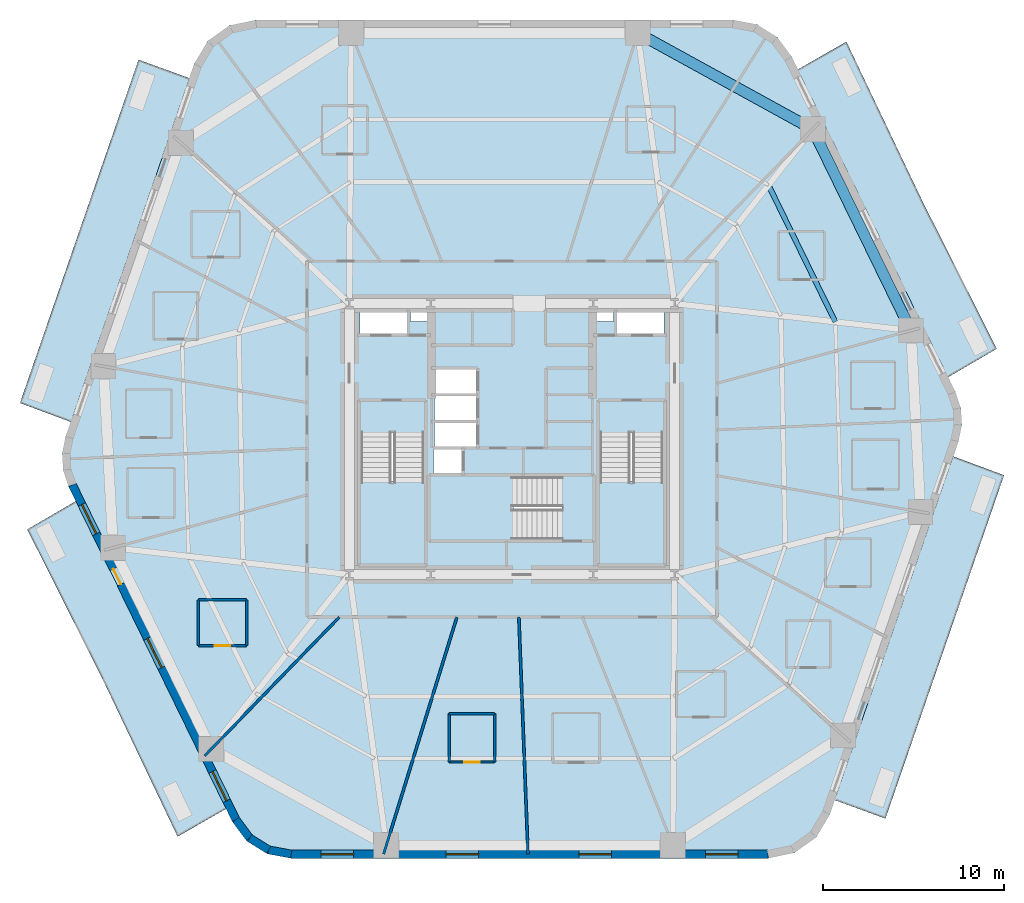
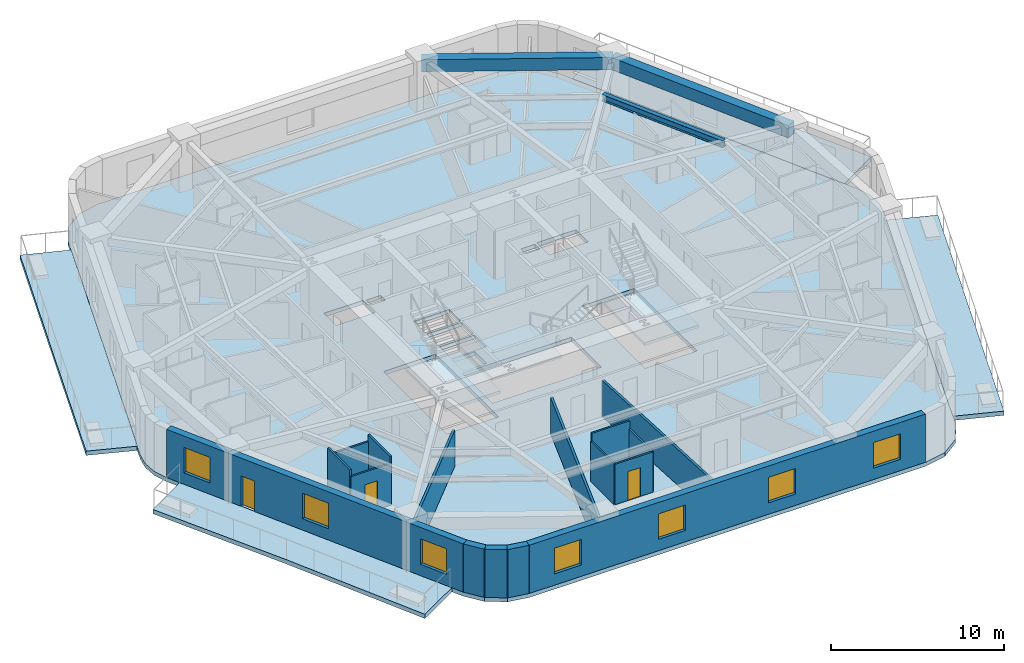
# One storey, part 2 of 10: 16 walls, 8 slabs, 7 windows, 3 beams, 3 doors, 10 openings, 3 elements without a shape of their own.
"""IFC4 building model written with IfcOpenShell, lengths in metres."""

from ifc_helpers import new_model, si_unit, direction, frame, frame_2d, origin, origin_2d, place, context, subcontext, project, spatial, polyline, rectangle, i_section, outline, extrude, material, layer, layer_set, material_profile, profile_set, type_object, element, fill, aggregate, save


model = new_model("IFC4")

# Units and contexts
model_context = context("Model", 3, precision=1e-05, world=origin(), true_north=direction((0.0, 1.0)))
body_context = subcontext(model_context, "Body", "Model", "MODEL_VIEW")
ifc_project = project(units=[si_unit("LENGTHUNIT", "METRE"), si_unit("AREAUNIT", "SQUARE_METRE"), si_unit("VOLUMEUNIT", "CUBIC_METRE"), si_unit("PLANEANGLEUNIT", "RADIAN"), si_unit("MASSUNIT", "GRAM", prefix="KILO")], contexts=[model_context])

# Site, building, storey
site_placement = place(None, origin())
site = spatial("IfcSite", under=ifc_project, at=site_placement, CompositionType="ELEMENT")
building_placement = place(site_placement, origin())
building = spatial("IfcBuilding", under=site, at=building_placement, Name="Kilnhurst Terrace Hotel", CompositionType="ELEMENT")
storey_placement = place(building_placement, frame((0.0, 0.0, 52.699951171875)))
storey = spatial("IfcBuildingStorey", under=building, at=storey_placement, Name="L11", CompositionType="ELEMENT", Elevation=52.699951171875)

# Beams
ifc_material_1 = material(Name="Concrete C50/60", Category="concrete")
ifc_material_profile_1 = material_profile(ifc_material_1, rectangle(XDim=0.60009765625, YDim=0.85009765625, at=origin_2d()), Name="RC600X850")
ifc_profile_set_1 = profile_set([ifc_material_profile_1], Name="Concrete C50/60")
beam_type_1 = type_object("IfcBeamType", Name="BM-SPN-600X850", PredefinedType="SPANDREL", material=ifc_profile_set_1)
beam_1_placement = place(storey_placement, frame((22.083984375, 6.013916015625, 2.97509765625), z_axis=(-0.438922573627, 0.898524888003, 0.0), x_axis=(-0.898524888003, -0.438922573627, 0.0)))
element("IfcBeam", 1, at=beam_1_placement, inside=storey, type_object=beam_type_1, Name="L11 Perimeter Spandrel Beam 5", PredefinedType="SPANDREL", context=body_context, shape_type="SweptSolid", body=[
    extrude(rectangle(XDim=0.60009765625, YDim=0.85009765625, at=origin_2d()), origin(), (0.0, 0.0, 1.0), 12.39599609375),
])
beam_2_placement = place(storey_placement, frame((16.64306640625, 17.152099609375, 2.97509765625), z_axis=(-0.876235488803, 0.481883147829, 0.0), x_axis=(-0.481883147829, -0.876235488803, 0.0)))
element("IfcBeam", 2, at=beam_2_placement, inside=storey, type_object=beam_type_1, Name="L11 Perimeter Spandrel Beam 6", PredefinedType="SPANDREL", context=body_context, shape_type="SweptSolid", body=[
    extrude(rectangle(XDim=0.60009765625, YDim=0.85009765625, at=origin_2d()), origin(), (0.0, 0.0, 1.0), 11.056396484375),
])
ifc_material_2 = material(Name="Steel ASTM A992 Grade 50", Category="steel")
ifc_material_profile_2 = material_profile(ifc_material_2, i_section(OverallWidth=0.279296875, OverallDepth=0.462890625, WebThickness=0.0107421875, FlangeThickness=0.017333984375, at=origin_2d()), Name="W18X76")
ifc_profile_set_2 = profile_set([ifc_material_profile_2], Name="Steel ASTM A992 Grade 50")
beam_type_2 = type_object("IfcBeamType", Name="JST-STL-W18X76", PredefinedType="JOIST", material=ifc_profile_set_2)
beam_3_placement = place(storey_placement, frame((17.897216796875, 6.489501953125, 3.16796875), z_axis=(-0.438934275949, 0.898519171413, 0.0), x_axis=(-0.898519171413, -0.438934275949, 0.0)))
element("IfcBeam", 3, at=beam_3_placement, inside=storey, type_object=beam_type_2, Name="L11 Secondary Floor Steel Joist OUT.5", PredefinedType="JOIST", context=body_context, shape_type="SweptSolid", body=[
    extrude(i_section(OverallWidth=0.279296875, OverallDepth=0.462890625, WebThickness=0.0107421875, FlangeThickness=0.017333984375, at=origin_2d()), origin(), (0.0, 0.0, 1.0), 8.429443359375),
])

# Slabs
ifc_layer_1 = layer(ifc_material_1, 0.300048828125, Name="Concrete C50/60")
ifc_layer_set_1 = layer_set([ifc_layer_1], Name="Concrete C50/60")
slab_type_1 = type_object("IfcSlabType", Name="SLB-BAL-300", PredefinedType="FLOOR", material=ifc_layer_set_1)
slab_1_placement = place(storey_placement, frame((0.0, 0.0, -0.300048828125)))
element("IfcSlab", 4, at=slab_1_placement, inside=storey, type_object=slab_type_1, Name="L11 Cantilevered Planted Terrace Slab BAL-L1A", PredefinedType="FLOOR", context=body_context, shape_type="SweptSolid", body=[
    extrude(outline(polyline([(23.98046875, -11.4296875), (20.670166015625, -21.0), (17.84912109375, -19.975341796875), (24.410888671875, -0.9501953125), (27.23388671875, -2.0), (23.98046875, -11.4296875)])), origin(), (0.0, 0.0, 1.0), 0.300048828125),
])
slab_2_placement = place(storey_placement, frame((0.0, 0.0, -0.300048828125)))
element("IfcSlab", 5, at=slab_2_placement, inside=storey, type_object=slab_type_1, Name="L11 Cantilevered Planted Terrace Slab BAL-L1B", PredefinedType="FLOOR", context=body_context, shape_type="SweptSolid", body=[
    extrude(outline(polyline([(26.830810546875, 5.0), (24.128662109375, 3.42333984375), (15.809814453125, 20.452880859375), (18.509521484375, 22.0), (22.697021484375, 13.21142578125), (26.830810546875, 5.0)])), origin(), (0.0, 0.0, 1.0), 0.300048828125),
])
slab_3_placement = place(storey_placement, frame((0.0, 0.0, -0.300048828125)))
element("IfcSlab", 6, at=slab_3_placement, inside=storey, type_object=slab_type_1, Name="L11 Cantilevered Planted Terrace Slab BAL-L2A", PredefinedType="FLOOR", context=body_context, shape_type="SweptSolid", body=[
    extrude(outline(polyline([(-20.670166015625, 21.0), (-17.84912109375, 19.975341796875), (-24.410888671875, 0.9501953125), (-27.23388671875, 2.0), (-23.98046875, 11.4296875), (-20.670166015625, 21.0)])), origin(), (0.0, 0.0, 1.0), 0.300048828125),
])
slab_4_placement = place(storey_placement, frame((0.0, 0.0, -0.300048828125)))
element("IfcSlab", 7, at=slab_4_placement, inside=storey, type_object=slab_type_1, Name="L11 Cantilevered Planted Terrace Slab BAL-L2B", PredefinedType="FLOOR", context=body_context, shape_type="SweptSolid", body=[
    extrude(outline(polyline([(-26.830810546875, -5.0), (-24.128662109375, -3.42333984375), (-15.809814453125, -20.452880859375), (-18.509521484375, -22.0), (-22.697021484375, -13.21142578125), (-26.830810546875, -5.0)])), origin(), (0.0, 0.0, 1.0), 0.300048828125),
])
ifc_layer_2 = layer(ifc_material_1, 0.280029296875, Name="Concrete C50/60")
ifc_layer_set_2 = layer_set([ifc_layer_2], Name="Concrete C50/60")
slab_type_2 = type_object("IfcSlabType", Name="SLB-FLR-280", PredefinedType="FLOOR", material=ifc_layer_set_2)
slab_5_placement = place(storey_placement, frame((0.0, 0.0, -0.280029296875)))
element("IfcSlab", 8, at=slab_5_placement, inside=storey, type_object=slab_type_2, Name="L11 Structural Floor Slab", PredefinedType="FLOOR", context=body_context, shape_type="SweptSolid", body=[
    extrude(outline(polyline([(-15.476806640625, -21.18017578125), (-14.680908203125, -22.248046875), (-13.551025390625, -22.95361328125), (-12.241943359375, -23.199951171875), (14.191650390625, -23.199951171875), (15.635986328125, -22.8974609375), (16.837890625, -22.040771484375), (17.5947265625, -20.773681640625), (24.712890625, -0.135986328125), (24.90087890625, 0.7861328125), (24.843505859375, 1.7255859375), (24.54443359375, 2.617919921875), (15.476806640625, 21.18017578125), (14.680908203125, 22.248046875), (13.551025390625, 22.95361328125), (12.241943359375, 23.199951171875), (-14.191650390625, 23.199951171875), (-15.635986328125, 22.8974609375), (-16.837890625, 22.040771484375), (-17.5947265625, 20.773681640625), (-24.712890625, 0.135986328125), (-24.90087890625, -0.7861328125), (-24.843505859375, -1.7255859375), (-24.54443359375, -2.617919921875), (-15.476806640625, -21.18017578125)]), holes=[polyline([(-8.35009765625, 0.35498046875), (-4.8798828125, 0.35498046875), (-4.8798828125, -6.89990234375), (-8.35009765625, -6.89990234375), (-8.35009765625, 0.35498046875)]), polyline([(-2.800048828125, -1.89990234375), (-4.35009765625, -1.89990234375), (-4.35009765625, -0.550048828125), (-2.800048828125, -0.550048828125), (-2.800048828125, -1.89990234375)]), polyline([(-1.949951171875, -0.429931640625), (-4.300048828125, -0.429931640625), (-4.300048828125, 0.89990234375), (-1.949951171875, 0.89990234375), (-1.949951171875, -0.429931640625)]), polyline([(-4.300048828125, 1.050048828125), (-4.300048828125, 2.3798828125), (-1.949951171875, 2.3798828125), (-1.949951171875, 1.050048828125), (-4.300048828125, 1.050048828125)]), polyline([(-8.39990234375, 5.75), (-8.39990234375, 7.14990234375), (-5.800048828125, 7.14990234375), (-5.800048828125, 5.75), (-8.39990234375, 5.75)]), polyline([(-4.659912109375, 6.52001953125), (-5.6201171875, 6.52001953125), (-5.6201171875, 7.080078125), (-4.659912109375, 7.080078125), (-4.659912109375, 6.52001953125)]), polyline([(2.7548828125, -5.550048828125), (-4.5, -5.550048828125), (-4.5, -2.080078125), (2.7548828125, -2.080078125), (2.7548828125, -5.550048828125)]), polyline([(8.35009765625, 0.35498046875), (8.35009765625, -6.89990234375), (4.8798828125, -6.89990234375), (4.8798828125, 0.35498046875), (8.35009765625, 0.35498046875)]), polyline([(-1.949951171875, 2.530029296875), (-4.300048828125, 2.530029296875), (-4.300048828125, 3.860107421875), (-1.949951171875, 3.860107421875), (-1.949951171875, 2.530029296875)]), polyline([(5.800048828125, 5.75), (5.800048828125, 7.14990234375), (8.39990234375, 7.14990234375), (8.39990234375, 5.75), (5.800048828125, 5.75)]), polyline([(4.659912109375, 6.52001953125), (4.659912109375, 7.080078125), (5.6201171875, 7.080078125), (5.6201171875, 6.52001953125), (4.659912109375, 6.52001953125)])]), origin(), (0.0, 0.0, 1.0), 0.280029296875),
])

# Stair, slab
stair_type = type_object("IfcStairType", Name="STR-CORE-1660", PredefinedType="HALF_TURN_STAIR", material=ifc_material_1)
stair_1_placement = place(storey_placement, origin())
stair_1 = element("IfcStair", 9, at=stair_1_placement, inside=storey, type_object=stair_type, Name="L11 ST-1", PredefinedType="HALF_TURN_STAIR")
ifc_layer_3 = layer(ifc_material_1, 0.199951171875, Name="Concrete C50/60")
ifc_layer_set_3 = layer_set([ifc_layer_3], Name="Concrete C50/60")
slab_type_3 = type_object("IfcSlabType", Name="SLB-ST-LND-200", PredefinedType="LANDING", material=ifc_layer_set_3)
slab_6_placement = place(storey_placement, frame((0.0, 0.0, 1.650146484375)))
slab_6 = element("IfcSlab", 10, at=slab_6_placement, type_object=slab_type_3, Name="ST-1 landing 1", PredefinedType="LANDING", context=body_context, shape_type="SweptSolid", body=[
    extrude(outline(polyline([(-8.429931640625, -2.330078125), (-4.800048828125, -2.330078125), (-4.800048828125, -6.97998046875), (-8.429931640625, -6.97998046875), (-8.429931640625, -2.330078125)])), origin(), (0.0, 0.0, 1.0), 0.199951171875),
])
aggregate(stair_1, [slab_6])

stair_2_placement = place(storey_placement, origin())
stair_2 = element("IfcStair", 11, at=stair_2_placement, inside=storey, type_object=stair_type, Name="L11 ST-2", PredefinedType="HALF_TURN_STAIR")
slab_7_placement = place(storey_placement, frame((0.0, 0.0, 1.650146484375)))
slab_7 = element("IfcSlab", 12, at=slab_7_placement, type_object=slab_type_3, Name="ST-2 landing 1", PredefinedType="LANDING", context=body_context, shape_type="SweptSolid", body=[
    extrude(outline(polyline([(4.800048828125, -2.330078125), (8.429931640625, -2.330078125), (8.429931640625, -6.97998046875), (4.800048828125, -6.97998046875), (4.800048828125, -2.330078125)])), origin(), (0.0, 0.0, 1.0), 0.199951171875),
])
aggregate(stair_2, [slab_7])

stair_3_placement = place(storey_placement, origin())
stair_3 = element("IfcStair", 13, at=stair_3_placement, inside=storey, type_object=stair_type, Name="L11 ST-3", PredefinedType="HALF_TURN_STAIR")
slab_8_placement = place(storey_placement, frame((0.0, 0.0, 1.650146484375)))
slab_8 = element("IfcSlab", 14, at=slab_8_placement, type_object=slab_type_3, Name="ST-3 landing 1", PredefinedType="LANDING", context=body_context, shape_type="SweptSolid", body=[
    extrude(outline(polyline([(0.070068359375, -2.0), (0.070068359375, -5.6298828125), (-4.580078125, -5.6298828125), (-4.580078125, -2.0), (0.070068359375, -2.0)])), origin(), (0.0, 0.0, 1.0), 0.199951171875),
])
aggregate(stair_3, [slab_8])

# Walls
ifc_material_3 = material(Name="Precast concrete C40/50", Category="concrete")
ifc_layer_4 = layer(ifc_material_3, 0.449951171875, Name="Precast concrete C40/50")
ifc_layer_set_4 = layer_set([ifc_layer_4], Name="Precast concrete C40/50")
wall_type_1 = type_object("IfcWallType", Name="WL-BRK-450", PredefinedType="SOLIDWALL", material=ifc_layer_set_4)
wall_1_placement = place(storey_placement, frame((-15.28369140625, -21.0625, 0.0), z_axis=(0.0, 0.0, 1.0), x_axis=(0.597595366449, -0.801797841104, 0.0)))
element("IfcWall", 15, at=wall_1_placement, inside=storey, type_object=wall_type_1, Name="L11 Rounded Corner Brick Wall C1.1", PredefinedType="SOLIDWALL", context=body_context, shape_type="SweptSolid", body=[
    extrude(rectangle(XDim=1.2685546875, YDim=0.449951171875, at=frame_2d((0.63427734375, 0.0))), origin(), (0.0, 0.0, 1.0), 3.400146484375),
])
wall_2_placement = place(storey_placement, frame((-14.525634765625, -22.07958984375, 0.0), z_axis=(0.0, 0.0, 1.0), x_axis=(0.848185203596, -0.529699783275, 0.0)))
element("IfcWall", 16, at=wall_2_placement, inside=storey, type_object=wall_type_1, Name="L11 Rounded Corner Brick Wall C1.2", PredefinedType="SOLIDWALL", context=body_context, shape_type="SweptSolid", body=[
    extrude(rectangle(XDim=1.247314453125, YDim=0.449951171875, at=frame_2d((0.62353515625, 0.0))), origin(), (0.0, 0.0, 1.0), 3.400146484375),
])
wall_3_placement = place(storey_placement, frame((-13.4677734375, -22.740234375, 0.0), z_axis=(0.0, 0.0, 1.0), x_axis=(0.982717174228, -0.185113358451, 0.0)))
element("IfcWall", 17, at=wall_3_placement, inside=storey, type_object=wall_type_1, Name="L11 Rounded Corner Brick Wall C1.3", PredefinedType="SOLIDWALL", context=body_context, shape_type="SweptSolid", body=[
    extrude(rectangle(XDim=1.268798828125, YDim=0.449951171875, at=frame_2d((0.63427734375, 0.0))), origin(), (0.0, 0.0, 1.0), 3.400146484375),
])

# Wall, openings, windows
wall_4_placement = place(storey_placement, frame((-12.220947265625, -22.97509765625, 0.0), z_axis=(0.0, 0.0, 1.0), x_axis=(1.0, 0.0, 0.0)))
wall_4 = element("IfcWall", 18, at=wall_4_placement, inside=storey, type_object=wall_type_1, Name="L11 Exterior Brick Facade Wall F1", PredefinedType="SOLIDWALL", context=body_context, shape_type="SweptSolid", body=[
    extrude(rectangle(XDim=26.38916015625, YDim=0.449951171875, at=frame_2d((13.194580078125, 0.0))), origin(), (0.0, 0.0, 1.0), 3.400146484375),
])
opening_1_placement = place(wall_4_placement, frame((1.653076171875, 0.0, 0.800048828125)))
opening_1 = element("IfcOpeningElement", 19, at=opening_1_placement, cuts=wall_4, Name="Opening W-01", PredefinedType="OPENING", context=body_context, shape_type="SweptSolid", body=[
    extrude(rectangle(XDim=1.800048828125, YDim=1.800048828125, at=frame_2d((0.89990234375, 0.89990234375))), frame((0.0, 0.23486328125, 0.0), z_axis=(0.0, -1.0, 0.0), x_axis=(1.0, 0.0, 0.0)), (0.0, 0.0, 1.0), 0.469970703125),
])
opening_2_placement = place(wall_4_placement, frame((8.575927734375, 0.0, 0.800048828125)))
opening_2 = element("IfcOpeningElement", 20, at=opening_2_placement, cuts=wall_4, Name="Opening W-01", PredefinedType="OPENING", context=body_context, shape_type="SweptSolid", body=[
    extrude(rectangle(XDim=1.800048828125, YDim=1.800048828125, at=frame_2d((0.89990234375, 0.89990234375))), frame((0.0, 0.23486328125, 0.0), z_axis=(0.0, -1.0, 0.0), x_axis=(1.0, 0.0, 0.0)), (0.0, 0.0, 1.0), 0.469970703125),
])
opening_3_placement = place(wall_4_placement, frame((15.927001953125, 0.0, 0.800048828125)))
opening_3 = element("IfcOpeningElement", 21, at=opening_3_placement, cuts=wall_4, Name="Opening W-01", PredefinedType="OPENING", context=body_context, shape_type="SweptSolid", body=[
    extrude(rectangle(XDim=1.800048828125, YDim=1.800048828125, at=frame_2d((0.89990234375, 0.89990234375))), frame((0.0, 0.23486328125, 0.0), z_axis=(0.0, -1.0, 0.0), x_axis=(1.0, 0.0, 0.0)), (0.0, 0.0, 1.0), 0.469970703125),
])
opening_4_placement = place(wall_4_placement, frame((22.93798828125, 0.0, 0.800048828125)))
opening_4 = element("IfcOpeningElement", 22, at=opening_4_placement, cuts=wall_4, Name="Opening W-01", PredefinedType="OPENING", context=body_context, shape_type="SweptSolid", body=[
    extrude(rectangle(XDim=1.800048828125, YDim=1.800048828125, at=frame_2d((0.89990234375, 0.89990234375))), frame((0.0, 0.23486328125, 0.0), z_axis=(0.0, -1.0, 0.0), x_axis=(1.0, 0.0, 0.0)), (0.0, 0.0, 1.0), 0.469970703125),
])
ifc_material_4 = material(Name="Thermally Broken Bronze Aluminium Alloy 6063-T6 and Low-E Glass", Category="aluminium")
window_type = type_object("IfcWindowType", Name="WIN-1800X1800", PartitioningType="SINGLE_PANEL", PredefinedType="WINDOW", material=ifc_material_4)
window_1_placement = place(opening_1_placement, origin())
window_1 = element("IfcWindow", 23, at=window_1_placement, inside=storey, type_object=window_type, Name="L11 Deep-Set Masonry Window F1.1", OverallHeight=1.800048828125, OverallWidth=1.800048828125, PartitioningType="SINGLE_PANEL", PredefinedType="WINDOW", context=body_context, shape_type="SweptSolid", body=[
    extrude(rectangle(XDim=1.800048828125, YDim=1.800048828125, at=frame_2d((0.89990234375, 0.89990234375))), frame((0.0, 0.030029296875, 0.0), z_axis=(0.0, -1.0, 0.0), x_axis=(1.0, 0.0, 0.0)), (0.0, 0.0, 1.0), 0.06005859375),
])
fill(opening_1, window_1)
window_2_placement = place(opening_2_placement, origin())
window_2 = element("IfcWindow", 24, at=window_2_placement, inside=storey, type_object=window_type, Name="L11 Deep-Set Masonry Window F1.2", OverallHeight=1.800048828125, OverallWidth=1.800048828125, PartitioningType="SINGLE_PANEL", PredefinedType="WINDOW", context=body_context, shape_type="SweptSolid", body=[
    extrude(rectangle(XDim=1.800048828125, YDim=1.800048828125, at=frame_2d((0.89990234375, 0.89990234375))), frame((0.0, 0.030029296875, 0.0), z_axis=(0.0, -1.0, 0.0), x_axis=(1.0, 0.0, 0.0)), (0.0, 0.0, 1.0), 0.06005859375),
])
fill(opening_2, window_2)
window_3_placement = place(opening_3_placement, origin())
window_3 = element("IfcWindow", 25, at=window_3_placement, inside=storey, type_object=window_type, Name="L11 Deep-Set Masonry Window F1.3", OverallHeight=1.800048828125, OverallWidth=1.800048828125, PartitioningType="SINGLE_PANEL", PredefinedType="WINDOW", context=body_context, shape_type="SweptSolid", body=[
    extrude(rectangle(XDim=1.800048828125, YDim=1.800048828125, at=frame_2d((0.89990234375, 0.89990234375))), frame((0.0, 0.030029296875, 0.0), z_axis=(0.0, -1.0, 0.0), x_axis=(1.0, 0.0, 0.0)), (0.0, 0.0, 1.0), 0.06005859375),
])
fill(opening_3, window_3)
window_4_placement = place(opening_4_placement, origin())
window_4 = element("IfcWindow", 26, at=window_4_placement, inside=storey, type_object=window_type, Name="L11 Deep-Set Masonry Window F1.4", OverallHeight=1.800048828125, OverallWidth=1.800048828125, PartitioningType="SINGLE_PANEL", PredefinedType="WINDOW", context=body_context, shape_type="SweptSolid", body=[
    extrude(rectangle(XDim=1.800048828125, YDim=1.800048828125, at=frame_2d((0.89990234375, 0.89990234375))), frame((0.0, 0.030029296875, 0.0), z_axis=(0.0, -1.0, 0.0), x_axis=(1.0, 0.0, 0.0)), (0.0, 0.0, 1.0), 0.06005859375),
])
fill(opening_4, window_4)

# Wall, openings, door, windows
wall_5_placement = place(storey_placement, frame((-24.335693359375, -2.532470703125, 0.0), z_axis=(0.0, 0.0, 1.0), x_axis=(0.438931326393, -0.898520612291, 0.0)))
wall_5 = element("IfcWall", 27, at=wall_5_placement, inside=storey, type_object=wall_type_1, Name="L11 Exterior Brick Facade Wall F6", PredefinedType="SOLIDWALL", context=body_context, shape_type="SweptSolid", body=[
    extrude(rectangle(XDim=20.622802734375, YDim=0.449951171875, at=frame_2d((10.3115234375, 0.0))), origin(), (0.0, 0.0, 1.0), 3.400146484375),
])
opening_5_placement = place(wall_5_placement, frame((5.1708984375, 0.0, 0.0)))
opening_5 = element("IfcOpeningElement", 28, at=opening_5_placement, cuts=wall_5, Name="Opening BD-950", PredefinedType="OPENING", context=body_context, shape_type="SweptSolid", body=[
    extrude(rectangle(XDim=0.949951171875, YDim=2.14990234375, at=frame_2d((0.47509765625, 1.074951171875))), frame((0.0, 0.23486328125, 0.0), z_axis=(0.0, -1.0, 0.0), x_axis=(1.0, 0.0, 0.0)), (0.0, 0.0, 1.0), 0.469970703125),
])
opening_6_placement = place(wall_5_placement, frame((1.214111328125, 0.0, 0.800048828125)))
opening_6 = element("IfcOpeningElement", 29, at=opening_6_placement, cuts=wall_5, Name="Opening W-01", PredefinedType="OPENING", context=body_context, shape_type="SweptSolid", body=[
    extrude(rectangle(XDim=1.800048828125, YDim=1.800048828125, at=frame_2d((0.89990234375, 0.89990234375))), frame((0.0, 0.23486328125, 0.0), z_axis=(0.0, -1.0, 0.0), x_axis=(1.0, 0.0, 0.0)), (0.0, 0.0, 1.0), 0.469970703125),
])
opening_7_placement = place(wall_5_placement, frame((9.4619140625, 0.0, 0.800048828125)))
opening_7 = element("IfcOpeningElement", 30, at=opening_7_placement, cuts=wall_5, Name="Opening W-01", PredefinedType="OPENING", context=body_context, shape_type="SweptSolid", body=[
    extrude(rectangle(XDim=1.800048828125, YDim=1.800048828125, at=frame_2d((0.89990234375, 0.89990234375))), frame((0.0, 0.23486328125, 0.0), z_axis=(0.0, -1.0, 0.0), x_axis=(1.0, 0.0, 0.0)), (0.0, 0.0, 1.0), 0.469970703125),
])
opening_8_placement = place(wall_5_placement, frame((17.659912109375, 0.0, 0.800048828125)))
opening_8 = element("IfcOpeningElement", 31, at=opening_8_placement, cuts=wall_5, Name="Opening W-01", PredefinedType="OPENING", context=body_context, shape_type="SweptSolid", body=[
    extrude(rectangle(XDim=1.800048828125, YDim=1.800048828125, at=frame_2d((0.89990234375, 0.89990234375))), frame((0.0, 0.23486328125, 0.0), z_axis=(0.0, -1.0, 0.0), x_axis=(1.0, 0.0, 0.0)), (0.0, 0.0, 1.0), 0.469970703125),
])
ifc_material_5 = material(Name="Thermally Broken Bronze Aluminium Alloy 6063-T6 and Laminated Glass", Category="aluminium")
door_type_1 = type_object("IfcDoorType", Name="DR-EXT-BAL-950", OperationType="NOTDEFINED", PredefinedType="DOOR", material=ifc_material_5)
door_1_placement = place(opening_5_placement, origin())
door_1 = element("IfcDoor", 32, at=door_1_placement, inside=storey, type_object=door_type_1, Name="L11 Planted Balcony Door BAL-L2B", OperationType="SINGLE_SWING_RIGHT", OverallHeight=2.14990234375, OverallWidth=0.949951171875, PredefinedType="DOOR", context=body_context, shape_type="SweptSolid", body=[
    extrude(rectangle(XDim=0.949951171875, YDim=2.14990234375, at=frame_2d((0.47509765625, 1.074951171875))), frame((0.0, 0.02490234375, 0.0), z_axis=(0.0, -1.0, 0.0), x_axis=(1.0, 0.0, 0.0)), (0.0, 0.0, 1.0), 0.050048828125),
])
fill(opening_5, door_1)
window_5_placement = place(opening_6_placement, origin())
window_5 = element("IfcWindow", 33, at=window_5_placement, inside=storey, type_object=window_type, Name="L11 Deep-Set Masonry Window F6.1", OverallHeight=1.800048828125, OverallWidth=1.800048828125, PartitioningType="SINGLE_PANEL", PredefinedType="WINDOW", context=body_context, shape_type="SweptSolid", body=[
    extrude(rectangle(XDim=1.800048828125, YDim=1.800048828125, at=frame_2d((0.89990234375, 0.89990234375))), frame((0.0, 0.030029296875, 0.0), z_axis=(0.0, -1.0, 0.0), x_axis=(1.0, 0.0, 0.0)), (0.0, 0.0, 1.0), 0.06005859375),
])
fill(opening_6, window_5)
window_6_placement = place(opening_7_placement, origin())
window_6 = element("IfcWindow", 34, at=window_6_placement, inside=storey, type_object=window_type, Name="L11 Deep-Set Masonry Window F6.2", OverallHeight=1.800048828125, OverallWidth=1.800048828125, PartitioningType="SINGLE_PANEL", PredefinedType="WINDOW", context=body_context, shape_type="SweptSolid", body=[
    extrude(rectangle(XDim=1.800048828125, YDim=1.800048828125, at=frame_2d((0.89990234375, 0.89990234375))), frame((0.0, 0.030029296875, 0.0), z_axis=(0.0, -1.0, 0.0), x_axis=(1.0, 0.0, 0.0)), (0.0, 0.0, 1.0), 0.06005859375),
])
fill(opening_7, window_6)
window_7_placement = place(opening_8_placement, origin())
window_7 = element("IfcWindow", 35, at=window_7_placement, inside=storey, type_object=window_type, Name="L11 Deep-Set Masonry Window F6.3", OverallHeight=1.800048828125, OverallWidth=1.800048828125, PartitioningType="SINGLE_PANEL", PredefinedType="WINDOW", context=body_context, shape_type="SweptSolid", body=[
    extrude(rectangle(XDim=1.800048828125, YDim=1.800048828125, at=frame_2d((0.89990234375, 0.89990234375))), frame((0.0, 0.030029296875, 0.0), z_axis=(0.0, -1.0, 0.0), x_axis=(1.0, 0.0, 0.0)), (0.0, 0.0, 1.0), 0.06005859375),
])
fill(opening_8, window_7)

# Walls
ifc_material_6 = material(Name="STC-58 Acoustic Twin-Frame Guestroom Demising Partition")
ifc_layer_5 = layer(ifc_material_6, 0.14990234375, Name="STC-58 Acoustic Twin-Frame Guestroom Demising Partition")
ifc_layer_set_5 = layer_set([ifc_layer_5], Name="STC-58 Acoustic Twin-Frame Guestroom Demising Partition")
wall_type_2 = type_object("IfcWallType", Name="WL-DEM-150", PredefinedType="PARTITIONING", material=ifc_layer_set_5)
wall_6_placement = place(storey_placement, frame((-9.5576171875, -9.85009765625, 0.0), z_axis=(0.0, 0.0, 1.0), x_axis=(-0.69638346089, -0.717669893056, 0.0)))
element("IfcWall", 36, at=wall_6_placement, inside=storey, type_object=wall_type_2, Name="L11 Interior Wall WL-L11-DEM-COL08-13-1", PredefinedType="PARTITIONING", context=body_context, shape_type="SweptSolid", body=[
    extrude(rectangle(XDim=10.700927734375, YDim=0.14990234375, at=frame_2d((5.3505859375, 0.0))), origin(), (0.0, 0.0, 1.0), 2.5400390625),
])
wall_7_placement = place(storey_placement, frame((-3.047607421875, -9.85009765625, 0.0), z_axis=(0.0, 0.0, 1.0), x_axis=(-0.295553992761, -0.955326037206, 0.0)))
element("IfcWall", 37, at=wall_7_placement, inside=storey, type_object=wall_type_2, Name="L11 Interior Wall WL-L11-DEM-COL09-14-1", PredefinedType="PARTITIONING", context=body_context, shape_type="SweptSolid", body=[
    extrude(rectangle(XDim=13.73876953125, YDim=0.14990234375, at=frame_2d((6.869384765625, 0.0))), origin(), (0.0, 0.0, 1.0), 2.5400390625),
])
wall_8_placement = place(storey_placement, frame((0.3798828125, -9.85009765625, 0.0), z_axis=(0.0, 0.0, 1.0), x_axis=(0.038568751747, -0.999255948888, 0.0)))
element("IfcWall", 38, at=wall_8_placement, inside=storey, type_object=wall_type_2, Name="L11 Interior Wall WL-L11-DEM-MID09-15-1", PredefinedType="PARTITIONING", context=body_context, shape_type="SweptSolid", body=[
    extrude(rectangle(XDim=13.134765625, YDim=0.14990234375, at=frame_2d((6.5673828125, 0.0))), origin(), (0.0, 0.0, 1.0), 2.5400390625),
])

# Wall, opening, door
ifc_material_7 = material(Name="120 mm Moisture-Resistant Tile-Backed Bathroom Partition")
ifc_layer_6 = layer(ifc_material_7, 0.1201171875, Name="120 mm Moisture-Resistant Tile-Backed Bathroom Partition")
ifc_layer_set_6 = layer_set([ifc_layer_6], Name="120 mm Moisture-Resistant Tile-Backed Bathroom Partition")
wall_type_3 = type_object("IfcWallType", Name="WL-PART-120", PredefinedType="PARTITIONING", material=ifc_layer_set_6)
wall_9_placement = place(storey_placement, frame((-17.364013671875, -11.43505859375, 0.0), z_axis=(0.0, 0.0, 1.0), x_axis=(1.0, 0.0, 0.0)))
wall_9 = element("IfcWall", 39, at=wall_9_placement, inside=storey, type_object=wall_type_3, Name="L11 Interior Wall WL-L11-BTH-12-1", PredefinedType="PARTITIONING", context=body_context, shape_type="SweptSolid", body=[
    extrude(rectangle(XDim=2.679931640625, YDim=0.1201171875, at=frame_2d((1.33984375, 0.0))), origin(), (0.0, 0.0, 1.0), 2.926513671875),
])
opening_9_placement = place(wall_9_placement, frame((0.9150390625, 0.0, 0.0)))
opening_9 = element("IfcOpeningElement", 40, at=opening_9_placement, cuts=wall_9, Name="Opening D-08A", PredefinedType="OPENING", context=body_context, shape_type="SweptSolid", body=[
    extrude(rectangle(XDim=0.85009765625, YDim=2.030029296875, at=frame_2d((0.425048828125, 1.01513671875))), frame((0.0, 0.070068359375, 0.0), z_axis=(0.0, -1.0, 0.0), x_axis=(1.0, 0.0, 0.0)), (0.0, 0.0, 1.0), 0.14013671875),
])
ifc_material_8 = material(Name="Moisture-Resistant Lacquered En-suite Bathroom Door")
door_type_2 = type_object("IfcDoorType", Name="DR-INT-850", OperationType="NOTDEFINED", PredefinedType="DOOR", material=ifc_material_8)
door_2_placement = place(opening_9_placement, origin())
door_2 = element("IfcDoor", 41, at=door_2_placement, inside=storey, type_object=door_type_2, Name="L11 En-suite Bathroom Door 12", OperationType="SINGLE_SWING_LEFT", OverallHeight=2.030029296875, OverallWidth=0.85009765625, PredefinedType="DOOR", context=body_context, shape_type="SweptSolid", body=[
    extrude(rectangle(XDim=0.85009765625, YDim=2.030029296875, at=frame_2d((0.425048828125, 1.01513671875))), frame((0.0, 0.02490234375, 0.0), z_axis=(0.0, -1.0, 0.0), x_axis=(1.0, 0.0, 0.0)), (0.0, 0.0, 1.0), 0.050048828125),
])
fill(opening_9, door_2)

# Walls
wall_10_placement = place(storey_placement, frame((-14.68408203125, -11.43505859375, 0.0), z_axis=(0.0, 0.0, 1.0), x_axis=(0.0, 1.0, 0.0)))
element("IfcWall", 42, at=wall_10_placement, inside=storey, type_object=wall_type_3, Name="L11 Interior Wall WL-L11-BTH-12-2", PredefinedType="PARTITIONING", context=body_context, shape_type="SweptSolid", body=[
    extrude(rectangle(XDim=2.5400390625, YDim=0.1201171875, at=frame_2d((1.27001953125, 0.0))), origin(), (0.0, 0.0, 1.0), 3.400146484375),
])
wall_11_placement = place(storey_placement, frame((-14.68408203125, -8.89501953125, 0.0), z_axis=(0.0, 0.0, 1.0), x_axis=(-1.0, 0.0, 0.0)))
element("IfcWall", 43, at=wall_11_placement, inside=storey, type_object=wall_type_3, Name="L11 Interior Wall WL-L11-BTH-12-3", PredefinedType="PARTITIONING", context=body_context, shape_type="SweptSolid", body=[
    extrude(rectangle(XDim=2.679931640625, YDim=0.1201171875, at=frame_2d((1.33984375, 0.0))), origin(), (0.0, 0.0, 1.0), 2.926513671875),
])
wall_12_placement = place(storey_placement, frame((-17.364013671875, -8.89501953125, 0.0), z_axis=(0.0, 0.0, 1.0), x_axis=(0.0, -1.0, 0.0)))
element("IfcWall", 44, at=wall_12_placement, inside=storey, type_object=wall_type_3, Name="L11 Interior Wall WL-L11-BTH-12-4", PredefinedType="PARTITIONING", context=body_context, shape_type="SweptSolid", body=[
    extrude(rectangle(XDim=2.5400390625, YDim=0.1201171875, at=frame_2d((1.27001953125, 0.0))), origin(), (0.0, 0.0, 1.0), 3.400146484375),
])

# Wall, opening, door
wall_13_placement = place(storey_placement, frame((-3.47509765625, -17.876953125, 0.0), z_axis=(0.0, 0.0, 1.0), x_axis=(1.0, 0.0, 0.0)))
wall_13 = element("IfcWall", 45, at=wall_13_placement, inside=storey, type_object=wall_type_3, Name="L11 Interior Wall WL-L11-BTH-14-1", PredefinedType="PARTITIONING", context=body_context, shape_type="SweptSolid", body=[
    extrude(rectangle(XDim=2.52001953125, YDim=0.1201171875, at=frame_2d((1.260009765625, 0.0))), origin(), (0.0, 0.0, 1.0), 2.840576171875),
])
opening_10_placement = place(wall_13_placement, frame((0.8349609375, 0.0, 0.0)))
opening_10 = element("IfcOpeningElement", 46, at=opening_10_placement, cuts=wall_13, Name="Opening D-08A", PredefinedType="OPENING", context=body_context, shape_type="SweptSolid", body=[
    extrude(rectangle(XDim=0.85009765625, YDim=2.030029296875, at=frame_2d((0.425048828125, 1.01513671875))), frame((0.0, 0.070068359375, 0.0), z_axis=(0.0, -1.0, 0.0), x_axis=(1.0, 0.0, 0.0)), (0.0, 0.0, 1.0), 0.14013671875),
])
door_3_placement = place(opening_10_placement, origin())
door_3 = element("IfcDoor", 47, at=door_3_placement, inside=storey, type_object=door_type_2, Name="L11 En-suite Bathroom Door 14", OperationType="SINGLE_SWING_LEFT", OverallHeight=2.030029296875, OverallWidth=0.85009765625, PredefinedType="DOOR", context=body_context, shape_type="SweptSolid", body=[
    extrude(rectangle(XDim=0.85009765625, YDim=2.030029296875, at=frame_2d((0.425048828125, 1.01513671875))), frame((0.0, 0.02490234375, 0.0), z_axis=(0.0, -1.0, 0.0), x_axis=(1.0, 0.0, 0.0)), (0.0, 0.0, 1.0), 0.050048828125),
])
fill(opening_10, door_3)

# Walls
wall_14_placement = place(storey_placement, frame((-0.955078125, -17.876953125, 0.0), z_axis=(0.0, 0.0, 1.0), x_axis=(0.0, 1.0, 0.0)))
element("IfcWall", 48, at=wall_14_placement, inside=storey, type_object=wall_type_3, Name="L11 Interior Wall WL-L11-BTH-14-2", PredefinedType="PARTITIONING", context=body_context, shape_type="SweptSolid", body=[
    extrude(rectangle(XDim=2.679931640625, YDim=0.1201171875, at=frame_2d((1.33984375, 0.0))), origin(), (0.0, 0.0, 1.0), 2.840576171875),
])
wall_15_placement = place(storey_placement, frame((-0.955078125, -15.197021484375, 0.0), z_axis=(0.0, 0.0, 1.0), x_axis=(-1.0, 0.0, 0.0)))
element("IfcWall", 49, at=wall_15_placement, inside=storey, type_object=wall_type_3, Name="L11 Interior Wall WL-L11-BTH-14-3", PredefinedType="PARTITIONING", context=body_context, shape_type="SweptSolid", body=[
    extrude(rectangle(XDim=2.52001953125, YDim=0.1201171875, at=frame_2d((1.260009765625, 0.0))), origin(), (0.0, 0.0, 1.0), 3.400146484375),
])
wall_16_placement = place(storey_placement, frame((-3.47509765625, -15.197021484375, 0.0), z_axis=(0.0, 0.0, 1.0), x_axis=(0.0, -1.0, 0.0)))
element("IfcWall", 50, at=wall_16_placement, inside=storey, type_object=wall_type_3, Name="L11 Interior Wall WL-L11-BTH-14-4", PredefinedType="PARTITIONING", context=body_context, shape_type="SweptSolid", body=[
    extrude(rectangle(XDim=2.679931640625, YDim=0.1201171875, at=frame_2d((1.33984375, 0.0))), origin(), (0.0, 0.0, 1.0), 2.840576171875),
])

save(model, "model.ifc")
